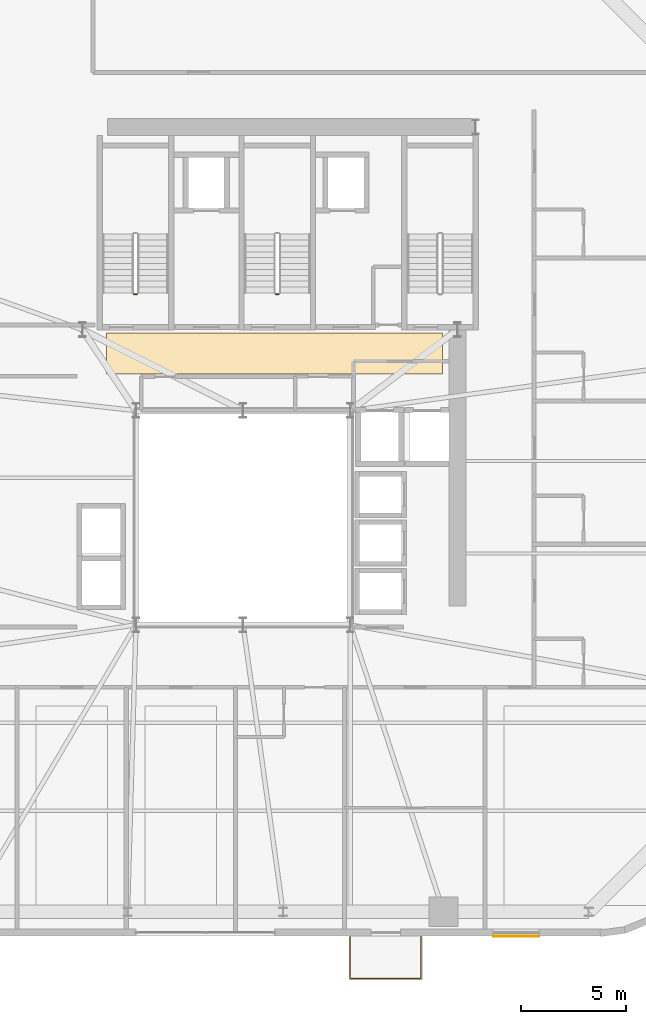
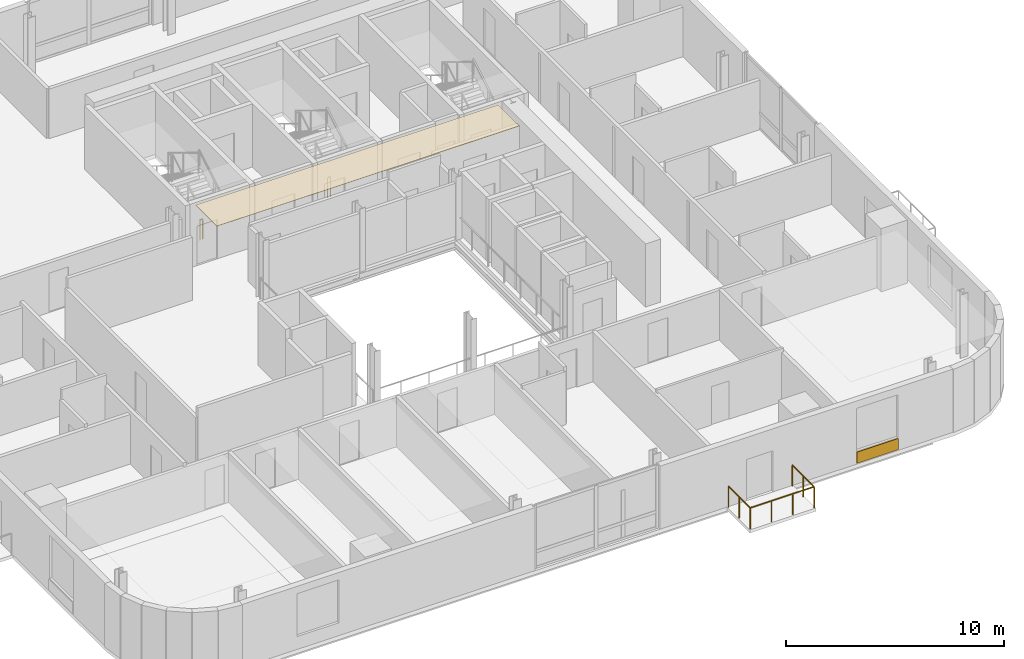
# One storey, part 13 of 16: 3 railings, 2 coverings.
"""IFC4 building model written with IfcOpenShell, lengths in metres."""

from ifc_helpers import new_model, si_unit, direction, frame, origin, origin_2d, place, context, subcontext, project, spatial, polyline, rectangle, outline, extrude, source, transform, mapped, material, layer, layer_set, type_object, element, save


model = new_model("IFC4")

# Units and contexts
model_context = context("Model", 3, precision=1e-05, world=origin(), true_north=direction((0.0, 1.0)))
body_context = subcontext(model_context, "Body", "Model", "MODEL_VIEW")
ifc_project = project(units=[si_unit("LENGTHUNIT", "METRE"), si_unit("AREAUNIT", "SQUARE_METRE"), si_unit("VOLUMEUNIT", "CUBIC_METRE"), si_unit("PLANEANGLEUNIT", "RADIAN"), si_unit("MASSUNIT", "GRAM", prefix="KILO")], contexts=[model_context])

# Site, building, storey
site_placement = place(None, origin())
site = spatial("IfcSite", under=ifc_project, at=site_placement, CompositionType="ELEMENT")
building_placement = place(site_placement, origin())
building = spatial("IfcBuilding", under=site, at=building_placement, Name="Vardaveli Station Tower", CompositionType="ELEMENT")
storey_placement = place(building_placement, frame((0.0, 0.0, 199.800048828125)))
storey = spatial("IfcBuildingStorey", under=building, at=storey_placement, Name="L51", CompositionType="ELEMENT", Elevation=199.800048828125)

# Coverings
ifc_material_1 = material(Name="Perforated acoustic mineral ceiling")
ifc_layer_1 = layer(ifc_material_1, 0.02001953125, Name="Perforated acoustic mineral ceiling")
ifc_layer_set_1 = layer_set([ifc_layer_1], Name="Perforated acoustic mineral ceiling")
covering_type_1 = type_object("IfcCoveringType", Name="COV-CEIL-AC20", PredefinedType="CEILING", material=ifc_layer_set_1)
covering_1_placement = place(storey_placement, frame((0.0, 0.0, 3.514892578125)))
element("IfcCovering", 1, at=covering_1_placement, inside=storey, type_object=covering_type_1, Name="CEIL-L51-6", PredefinedType="CEILING", context=body_context, shape_type="SweptSolid", body=[
    extrude(outline(polyline([(29.800048828125, 28.550048828125), (45.800048828125, 28.550048828125), (45.800048828125, 30.5), (29.800048828125, 30.5), (29.800048828125, 28.550048828125)])), origin(), (0.0, 0.0, 1.0), 0.02001953125),
])
ifc_material_2 = material(Name="Ventilated honed travertine stone cladding", Category="masonry")
ifc_layer_2 = layer(ifc_material_2, 0.044921875, Name="Ventilated honed travertine stone cladding")
ifc_layer_set_2 = layer_set([ifc_layer_2], Name="Ventilated honed travertine stone cladding")
covering_type_2 = type_object("IfcCoveringType", Name="COV-CLAD-TR45", PredefinedType="CLADDING", material=ifc_layer_set_2)
shared_shape_1 = source(origin(), body_context, "Body", "SweptSolid", [
    extrude(rectangle(XDim=2.199951171875, YDim=0.044921875, at=origin_2d()), origin(), (0.0, 0.0, 1.0), 0.6201171875),
])
covering_2_placement = place(storey_placement, frame((49.294921875, 1.785400390625, 0.06982421875), z_axis=(0.0, 0.0, 1.0), x_axis=(1.0, 0.0, 0.0)))
element("IfcCovering", 2, at=covering_2_placement, inside=storey, type_object=covering_type_2, Name="CLD-TR-L51-S", PredefinedType="CLADDING", context=body_context, shape_type="MappedRepresentation", body=[
    mapped(shared_shape_1, transform((0.0, 0.0, 0.0), scale=1.0)),
])

# Railings
ifc_material_3 = material(Name="Laminated glass and stainless steel balustrade", Category="steel")
railing_type_1 = type_object("IfcRailingType", Name="RL-BAL-1200", PredefinedType="BALUSTRADE", material=ifc_material_3)
shared_shape_2 = source(origin(), body_context, "Body", "SweptSolid", [
    extrude(rectangle(XDim=0.048095703125, YDim=0.048095703125, at=origin_2d()), frame((0.0, 0.0, 1.17578125), z_axis=(0.0, -1.0, 0.0), x_axis=(1.0, 0.0, 0.0)), (0.0, 0.0, 1.0), 2.0),
    extrude(rectangle(XDim=0.048095703125, YDim=0.048095703125, at=origin_2d()), frame((0.0, -2.0, 1.17578125), z_axis=(1.0, 0.0, 0.0), x_axis=(0.0, 1.0, 0.0)), (0.0, 0.0, 1.0), 3.3798828125),
    extrude(rectangle(XDim=0.048095703125, YDim=0.048095703125, at=origin_2d()), frame((3.3798828125, -2.0, 1.17578125), z_axis=(0.0, 1.0, 0.0), x_axis=(-1.0, 0.0, 0.0)), (0.0, 0.0, 1.0), 2.0),
    extrude(rectangle(XDim=0.0419921875, YDim=0.0419921875, at=origin_2d()), origin(), (0.0, 0.0, 1.0), 1.15185546875),
    extrude(rectangle(XDim=0.0419921875, YDim=0.0419921875, at=origin_2d()), frame((0.0, -1.0, 0.0)), (0.0, 0.0, 1.0), 1.15185546875),
    extrude(rectangle(XDim=0.0419921875, YDim=0.0419921875, at=origin_2d()), frame((0.0, -2.0, 0.0)), (0.0, 0.0, 1.0), 1.15185546875),
    extrude(rectangle(XDim=0.0419921875, YDim=0.0419921875, at=origin_2d()), frame((1.126708984375, -2.0, 0.0)), (0.0, 0.0, 1.0), 1.15185546875),
    extrude(rectangle(XDim=0.0419921875, YDim=0.0419921875, at=origin_2d()), frame((2.253173828125, -2.0, 0.0)), (0.0, 0.0, 1.0), 1.15185546875),
    extrude(rectangle(XDim=0.0419921875, YDim=0.0419921875, at=origin_2d()), frame((3.3798828125, -2.0, 0.0)), (0.0, 0.0, 1.0), 1.15185546875),
    extrude(rectangle(XDim=0.0419921875, YDim=0.0419921875, at=origin_2d()), frame((3.3798828125, -1.0, 0.0)), (0.0, 0.0, 1.0), 1.15185546875),
    extrude(rectangle(XDim=0.0419921875, YDim=0.0419921875, at=origin_2d()), frame((3.3798828125, 0.0, 0.0)), (0.0, 0.0, 1.0), 1.15185546875),
])
railing_placement = place(storey_placement, frame((41.399658203125, 1.760009765625, 0.0)))
element("IfcRailing", 3, at=railing_placement, inside=storey, type_object=railing_type_1, Name="RL-LOG-L51-01", PredefinedType="BALUSTRADE", context=body_context, shape_type="MappedRepresentation", body=[
    mapped(shared_shape_2, transform((0.0, 0.0, 0.0), scale=1.0)),
])
ifc_material_4 = material(Name="Brushed AISI 316 stainless steel", Category="steel")
railing_type_2 = type_object("IfcRailingType", Name="RL-GUARD-1150", PredefinedType="GUARDRAIL", material=ifc_material_4)
shared_shape_3 = source(origin(), body_context, "Body", "SweptSolid", [
    extrude(rectangle(XDim=0.048095703125, YDim=0.048095703125, at=origin_2d()), frame((0.0, 0.0, 1.1259765625), z_axis=(-1.0, 0.0, 0.0), x_axis=(0.0, -1.0, 0.0)), (0.0, 0.0, 1.0), 0.14990234375),
    extrude(rectangle(XDim=0.0419921875, YDim=0.0419921875, at=origin_2d()), origin(), (0.0, 0.0, 1.0), 1.101806640625),
    extrude(rectangle(XDim=0.0419921875, YDim=0.0419921875, at=origin_2d()), frame((-0.14990234375, 0.0, 0.0)), (0.0, 0.0, 1.0), 1.101806640625),
])
for number, where, name in (
    (4, (31.25, 32.35009765625, 0.0), "L51 ST-1 stair guard 4"),
    (5, (38.0, 32.35009765625, 0.0), "L51 ST-2 stair guard 4"),
):
    element("IfcRailing", number, at=place(storey_placement, frame(where)), inside=storey, type_object=railing_type_2, Name=name, PredefinedType="GUARDRAIL", context=body_context, shape_type="MappedRepresentation", body=[
        mapped(shared_shape_3, transform((0.0, 0.0, 0.0), scale=1.0)),
    ])

save(model, "model.ifc")
